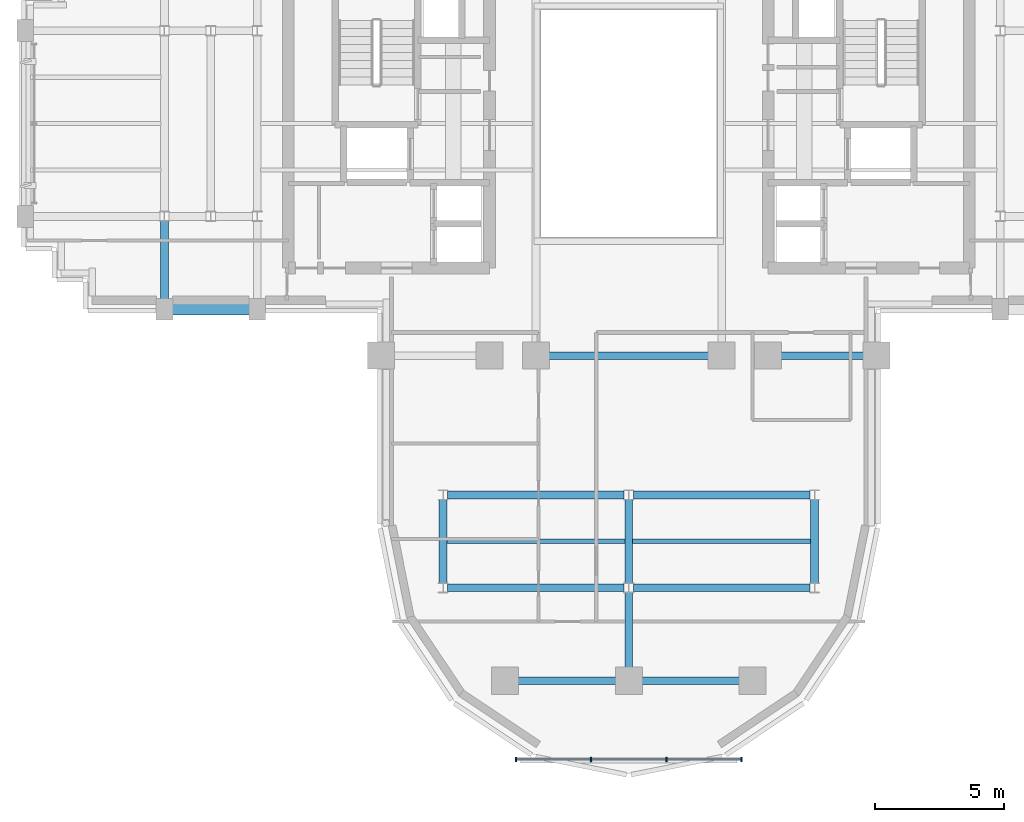
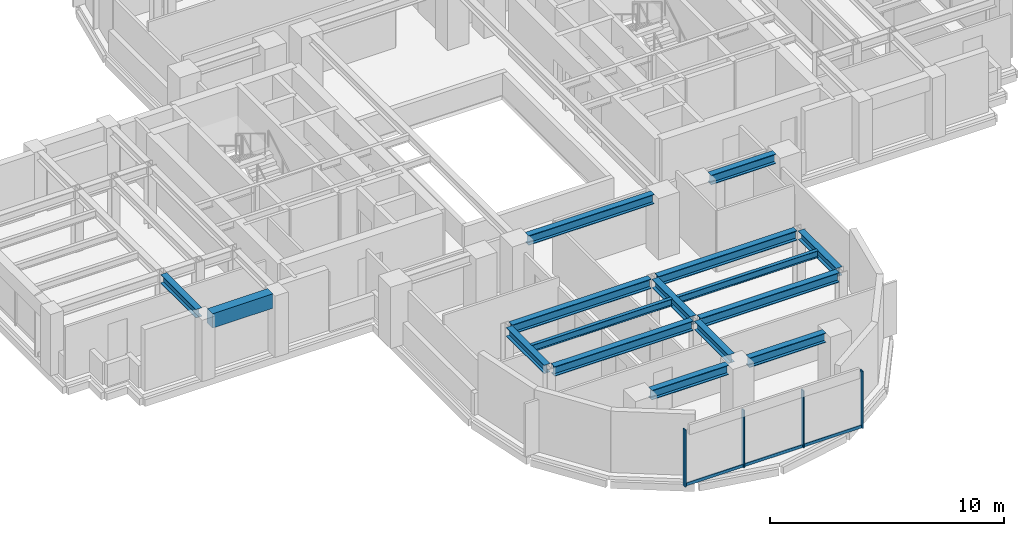
# One storey, part 3 of 14: 16 beams, 7 members, 1 element without a shape of its own.
"""IFC4 building model written with IfcOpenShell, lengths in metres."""

from ifc_helpers import new_model, si_unit, direction, frame, origin, origin_2d, place, context, subcontext, project, spatial, rectangle, i_section, extrude, source, transform, mapped, material, material_profile, profile_set, type_object, element, aggregate, save


model = new_model("IFC4")

# Units and contexts
model_context = context("Model", 3, precision=1e-05, world=origin(), true_north=direction((0.0, 1.0)))
body_context = subcontext(model_context, "Body", "Model", "MODEL_VIEW")
ifc_project = project(units=[si_unit("LENGTHUNIT", "METRE"), si_unit("AREAUNIT", "SQUARE_METRE"), si_unit("VOLUMEUNIT", "CUBIC_METRE"), si_unit("PLANEANGLEUNIT", "RADIAN"), si_unit("MASSUNIT", "GRAM", prefix="KILO")], contexts=[model_context])

# Site, building, storey
site_placement = place(None, origin())
site = spatial("IfcSite", under=ifc_project, at=site_placement, CompositionType="ELEMENT")
building_placement = place(site_placement, origin())
building = spatial("IfcBuilding", under=site, at=building_placement, Name="Keilestroom Media Tower", CompositionType="ELEMENT")
storey_placement = place(building_placement, frame((0.0, 0.0, 127.800048828125)))
storey = spatial("IfcBuildingStorey", under=building, at=storey_placement, Name="L34", CompositionType="ELEMENT", Elevation=127.800048828125)

# Beams
ifc_material_1 = material(Name="Steel S355", Category="steel")
ifc_material_profile_1 = material_profile(ifc_material_1, i_section(OverallWidth=0.169921875, OverallDepth=0.360107421875, WebThickness=0.008056640625, FlangeThickness=0.0126953125, at=origin_2d()), Name="IPE 360")
ifc_profile_set_1 = profile_set([ifc_material_profile_1], Name="Steel S355")
beam_type_1 = type_object("IfcBeamType", Name="Secondary-Floor-Joist-IPE-360", PredefinedType="JOIST", material=ifc_profile_set_1)
shared_shape_1 = source(origin(), body_context, "Body", "SweptSolid", [
    extrude(i_section(OverallWidth=0.169921875, OverallDepth=0.360107421875, WebThickness=0.008056640625, FlangeThickness=0.0126953125, at=origin_2d()), origin(), (0.0, 0.0, 1.0), 6.940185546875),
])
for number, where, z_axis, x_axis, name in (
    (1, (-7.070068359375, -16.199951171875, 3.02001953125), (1.0, 0.0, 0.0), (0.0, 1.0, 0.0), "L34 Beam BJ-5 JST-L34-069"),
    (2, (0.1298828125, -16.199951171875, 3.02001953125), (1.0, 0.0, 0.0), (0.0, 1.0, 0.0), "L34 Beam BJ-5 JST-L34-070"),
):
    element("IfcBeam", number, at=place(storey_placement, frame(where, z_axis=z_axis, x_axis=x_axis)), inside=storey, type_object=beam_type_1, Name=name, PredefinedType="JOIST", context=body_context, shape_type="MappedRepresentation", body=[
        mapped(shared_shape_1, transform((0.0, 0.0, 0.0), x_axis=(1.0, 0.0, 0.0), y_axis=(0.0, 1.0, 0.0), z_axis=(0.0, 0.0, 1.0), scale=1.0)),
    ])
ifc_material_profile_2 = material_profile(ifc_material_1, i_section(OverallWidth=0.300048828125, OverallDepth=0.5, WebThickness=0.012451171875, FlangeThickness=0.028076171875, at=origin_2d()), Name="HEB 500")
ifc_profile_set_2 = profile_set([ifc_material_profile_2], Name="Steel S355")
beam_type_2 = type_object("IfcBeamType", Name="Primary-Structural-Girder-HEB-500", PredefinedType="BEAM", material=ifc_profile_set_2)
shared_shape_2 = source(origin(), body_context, "Body", "SweptSolid", [
    extrude(i_section(OverallWidth=0.300048828125, OverallDepth=0.5, WebThickness=0.012451171875, FlangeThickness=0.028076171875, at=origin_2d()), origin(), (0.0, 0.0, 1.0), 3.7900390625),
])
for number, where, z_axis, x_axis, name in (
    (3, (-4.294921875, -21.60009765625, 2.949951171875), (1.0, 0.0, 0.0), (0.0, 1.0, 0.0), "L34 Beam BG-6 BM-L34-EW-001"),
    (4, (0.5048828125, -21.60009765625, 2.949951171875), (1.0, 0.0, 0.0), (0.0, 1.0, 0.0), "L34 Beam BG-6 BM-L34-EW-002"),
):
    element("IfcBeam", number, at=place(storey_placement, frame(where, z_axis=z_axis, x_axis=x_axis)), inside=storey, type_object=beam_type_2, Name=name, PredefinedType="BEAM", context=body_context, shape_type="MappedRepresentation", body=[
        mapped(shared_shape_2, transform((0.0, 0.0, 0.0), x_axis=(1.0, 0.0, 0.0), y_axis=(0.0, 1.0, 0.0), z_axis=(0.0, 0.0, 1.0), scale=1.0)),
    ])
shared_shape_3 = source(origin(), body_context, "Body", "SweptSolid", [
    extrude(i_section(OverallWidth=0.300048828125, OverallDepth=0.5, WebThickness=0.012451171875, FlangeThickness=0.028076171875, at=origin_2d()), origin(), (0.0, 0.0, 1.0), 6.839111328125),
])
for number, where, z_axis, x_axis, name in (
    (5, (-7.01953125, -18.0, 2.949951171875), (1.0, 0.0, 0.0), (0.0, 1.0, 0.0), "L34 Beam BG-6 BM-L34-EW-003"),
    (6, (0.180419921875, -18.0, 2.949951171875), (1.0, 0.0, 0.0), (0.0, 1.0, 0.0), "L34 Beam BG-6 BM-L34-EW-004"),
    (7, (-7.01953125, -14.39990234375, 2.949951171875), (1.0, 0.0, 0.0), (0.0, 1.0, 0.0), "L34 Beam BG-6 BM-L34-EW-005"),
    (8, (0.180419921875, -14.39990234375, 2.949951171875), (1.0, 0.0, 0.0), (0.0, 1.0, 0.0), "L34 Beam BG-6 BM-L34-EW-006"),
):
    element("IfcBeam", number, at=place(storey_placement, frame(where, z_axis=z_axis, x_axis=x_axis)), inside=storey, type_object=beam_type_2, Name=name, PredefinedType="BEAM", context=body_context, shape_type="MappedRepresentation", body=[
        mapped(shared_shape_3, transform((0.0, 0.0, 0.0), x_axis=(1.0, 0.0, 0.0), y_axis=(0.0, 1.0, 0.0), z_axis=(0.0, 0.0, 1.0), scale=1.0)),
    ])
shared_shape_4 = source(origin(), body_context, "Body", "SweptSolid", [
    extrude(i_section(OverallWidth=0.300048828125, OverallDepth=0.5, WebThickness=0.012451171875, FlangeThickness=0.028076171875, at=origin_2d()), origin(), (0.0, 0.0, 1.0), 3.18994140625),
])
beam_1_placement = place(storey_placement, frame((5.905029296875, -9.0, 2.949951171875), z_axis=(1.0, 0.0, 0.0), x_axis=(0.0, 1.0, 0.0)))
element("IfcBeam", 9, at=beam_1_placement, inside=storey, type_object=beam_type_2, Name="L34 Beam BG-6 BM-L34-EW-011", PredefinedType="BEAM", context=body_context, shape_type="MappedRepresentation", body=[
    mapped(shared_shape_4, transform((0.0, 0.0, 0.0), x_axis=(1.0, 0.0, 0.0), y_axis=(0.0, 1.0, 0.0), z_axis=(0.0, 0.0, 1.0), scale=1.0)),
])
shared_shape_5 = source(origin(), body_context, "Body", "SweptSolid", [
    extrude(i_section(OverallWidth=0.300048828125, OverallDepth=0.5, WebThickness=0.012451171875, FlangeThickness=0.028076171875, at=origin_2d()), origin(), (0.0, 0.0, 1.0), 6.18994140625),
])
beam_2_placement = place(storey_placement, frame((-3.094970703125, -9.0, 2.949951171875), z_axis=(1.0, 0.0, 0.0), x_axis=(0.0, 1.0, 0.0)))
element("IfcBeam", 10, at=beam_2_placement, inside=storey, type_object=beam_type_2, Name="L34 Beam BG-6 BM-L34-EW-009", PredefinedType="BEAM", context=body_context, shape_type="MappedRepresentation", body=[
    mapped(shared_shape_5, transform((0.0, 0.0, 0.0), x_axis=(1.0, 0.0, 0.0), y_axis=(0.0, 1.0, 0.0), z_axis=(0.0, 0.0, 1.0), scale=1.0)),
])
ifc_material_2 = material(Name="Precast concrete C40/50", Category="concrete")
ifc_material_profile_3 = material_profile(ifc_material_2, rectangle(XDim=0.449951171875, YDim=0.75, at=origin_2d()), Name="PC 450x750")
ifc_profile_set_3 = profile_set([ifc_material_profile_3], Name="Precast concrete C40/50")
beam_type_3 = type_object("IfcBeamType", Name="Perimeter-Spandrel-Beam-PC-450x750", PredefinedType="SPANDREL", material=ifc_profile_set_3)
shared_shape_6 = source(origin(), body_context, "Body", "SweptSolid", [
    extrude(rectangle(XDim=0.449951171875, YDim=0.75, at=origin_2d()), origin(), (0.0, 0.0, 1.0), 2.989990234375),
])
beam_3_placement = place(storey_placement, frame((-17.695068359375, -7.199951171875, 2.824951171875), z_axis=(1.0, 0.0, 0.0), x_axis=(0.0, 1.0, 0.0)))
element("IfcBeam", 11, at=beam_3_placement, inside=storey, type_object=beam_type_3, Name="L34 Beam SPB-1 BM-L34-EW-012", PredefinedType="SPANDREL", context=body_context, shape_type="MappedRepresentation", body=[
    mapped(shared_shape_6, transform((0.0, 0.0, 0.0), x_axis=(1.0, 0.0, 0.0), y_axis=(0.0, 1.0, 0.0), z_axis=(0.0, 0.0, 1.0), scale=1.0)),
])
ifc_material_profile_4 = material_profile(ifc_material_1, i_section(OverallWidth=0.300048828125, OverallDepth=0.449951171875, WebThickness=0.011962890625, FlangeThickness=0.02587890625, at=origin_2d()), Name="HEB 450")
ifc_profile_set_4 = profile_set([ifc_material_profile_4], Name="Steel S355")
beam_type_4 = type_object("IfcBeamType", Name="Primary-Structural-Girder-HEB-450", PredefinedType="BEAM", material=ifc_profile_set_4)
shared_shape_7 = source(origin(), body_context, "Body", "SweptSolid", [
    extrude(i_section(OverallWidth=0.300048828125, OverallDepth=0.449951171875, WebThickness=0.011962890625, FlangeThickness=0.02587890625, at=origin_2d()), origin(), (0.0, 0.0, 1.0), 3.015380859375),
])
beam_4_placement = place(storey_placement, frame((-18.0, -6.794921875, 2.974853515625), z_axis=(0.0, 1.0, 0.0), x_axis=(-1.0, 0.0, 0.0)))
element("IfcBeam", 12, at=beam_4_placement, inside=storey, type_object=beam_type_4, Name="L34 Beam BG-7 BM-L34-NS-040", PredefinedType="BEAM", context=body_context, shape_type="MappedRepresentation", body=[
    mapped(shared_shape_7, transform((0.0, 0.0, 0.0), x_axis=(1.0, 0.0, 0.0), y_axis=(0.0, 1.0, 0.0), z_axis=(0.0, 0.0, 1.0), scale=1.0)),
])
shared_shape_8 = source(origin(), body_context, "Body", "SweptSolid", [
    extrude(i_section(OverallWidth=0.300048828125, OverallDepth=0.449951171875, WebThickness=0.011962890625, FlangeThickness=0.02587890625, at=origin_2d()), origin(), (0.0, 0.0, 1.0), 3.240966796875),
])
for number, where, z_axis, x_axis, name in (
    (13, (-7.199951171875, -17.820556640625, 2.974853515625), (0.0, 1.0, 0.0), (-1.0, 0.0, 0.0), "L34 Beam BG-7 BM-L34-NS-048"),
    (14, (0.0, -17.820556640625, 2.974853515625), (0.0, 1.0, 0.0), (-1.0, 0.0, 0.0), "L34 Beam BG-7 BM-L34-NS-053"),
    (15, (7.199951171875, -17.820556640625, 2.974853515625), (0.0, 1.0, 0.0), (-1.0, 0.0, 0.0), "L34 Beam BG-7 BM-L34-NS-058"),
):
    element("IfcBeam", number, at=place(storey_placement, frame(where, z_axis=z_axis, x_axis=x_axis)), inside=storey, type_object=beam_type_4, Name=name, PredefinedType="BEAM", context=body_context, shape_type="MappedRepresentation", body=[
        mapped(shared_shape_8, transform((0.0, 0.0, 0.0), x_axis=(1.0, 0.0, 0.0), y_axis=(0.0, 1.0, 0.0), z_axis=(0.0, 0.0, 1.0), scale=1.0)),
    ])
shared_shape_9 = source(origin(), body_context, "Body", "SweptSolid", [
    extrude(i_section(OverallWidth=0.300048828125, OverallDepth=0.449951171875, WebThickness=0.011962890625, FlangeThickness=0.02587890625, at=origin_2d()), origin(), (0.0, 0.0, 1.0), 2.91552734375),
])
beam_5_placement = place(storey_placement, frame((0.0, -21.094970703125, 2.974853515625), z_axis=(0.0, 1.0, 0.0), x_axis=(-1.0, 0.0, 0.0)))
element("IfcBeam", 16, at=beam_5_placement, inside=storey, type_object=beam_type_4, Name="L34 Beam BG-7 BM-L34-NS-052", PredefinedType="BEAM", context=body_context, shape_type="MappedRepresentation", body=[
    mapped(shared_shape_9, transform((0.0, 0.0, 0.0), x_axis=(1.0, 0.0, 0.0), y_axis=(0.0, 1.0, 0.0), z_axis=(0.0, 0.0, 1.0), scale=1.0)),
])

# Curtain wall, members
ifc_material_3 = material(Name="Anodised Aluminium Alloy", Category="aluminium")
curtain_wall_type = type_object("IfcCurtainWallType", Name="Unitised-Curtain-Wall-CW-6", PredefinedType="NOTDEFINED", material=ifc_material_3)
curtain_wall_placement = place(storey_placement, origin())
curtain_wall = element("IfcCurtainWall", 17, at=curtain_wall_placement, inside=storey, type_object=curtain_wall_type, Name="L34 Curtain Wall CW-6 CW-L34-LS-1", PredefinedType="NOTDEFINED")
ifc_material_profile_5 = material_profile(ifc_material_3, rectangle(XDim=0.06494140625, YDim=0.179931640625, at=origin_2d()), Name="ALU MULLION 65x180")
ifc_profile_set_5 = profile_set([ifc_material_profile_5], Name="Anodised Aluminium Alloy")
member_type_1 = type_object("IfcMemberType", Name="Curtain-Wall-Mullion-CW-6", PredefinedType="MULLION", material=ifc_profile_set_5)
shared_shape_10 = source(origin(), body_context, "Body", "SweptSolid", [
    extrude(rectangle(XDim=0.06494140625, YDim=0.179931640625, at=origin_2d()), origin(), (0.0, 0.0, 1.0), 2.97998046875),
])
member_1_placement = place(storey_placement, frame((-4.367431640625, -24.64990234375, 0.0), z_axis=(0.0, 0.0, 1.0), x_axis=(1.0, 0.0, 0.0)))
member_1 = element("IfcMember", 18, at=member_1_placement, type_object=member_type_1, Name="CW-6 Mullion 00", PredefinedType="MULLION", context=body_context, shape_type="MappedRepresentation", body=[
    mapped(shared_shape_10, transform((0.0, 0.0, 0.0), x_axis=(1.0, 0.0, 0.0), y_axis=(0.0, 1.0, 0.0), z_axis=(0.0, 0.0, 1.0), scale=1.0)),
])
member_2_placement = place(storey_placement, frame((-1.466796875, -24.64990234375, 0.0), z_axis=(0.0, 0.0, 1.0), x_axis=(1.0, 0.0, 0.0)))
member_2 = element("IfcMember", 19, at=member_2_placement, type_object=member_type_1, Name="CW-6 Mullion 01", PredefinedType="MULLION", context=body_context, shape_type="MappedRepresentation", body=[
    mapped(shared_shape_10, transform((0.0, 0.0, 0.0), x_axis=(1.0, 0.0, 0.0), y_axis=(0.0, 1.0, 0.0), z_axis=(0.0, 0.0, 1.0), scale=1.0)),
])
member_3_placement = place(storey_placement, frame((1.466796875, -24.64990234375, 0.0), z_axis=(0.0, 0.0, 1.0), x_axis=(1.0, 0.0, 0.0)))
member_3 = element("IfcMember", 20, at=member_3_placement, type_object=member_type_1, Name="CW-6 Mullion 02", PredefinedType="MULLION", context=body_context, shape_type="MappedRepresentation", body=[
    mapped(shared_shape_10, transform((0.0, 0.0, 0.0), x_axis=(1.0, 0.0, 0.0), y_axis=(0.0, 1.0, 0.0), z_axis=(0.0, 0.0, 1.0), scale=1.0)),
])
member_4_placement = place(storey_placement, frame((4.367431640625, -24.64990234375, 0.0), z_axis=(0.0, 0.0, 1.0), x_axis=(1.0, 0.0, 0.0)))
member_4 = element("IfcMember", 21, at=member_4_placement, type_object=member_type_1, Name="CW-6 Mullion 03", PredefinedType="MULLION", context=body_context, shape_type="MappedRepresentation", body=[
    mapped(shared_shape_10, transform((0.0, 0.0, 0.0), x_axis=(1.0, 0.0, 0.0), y_axis=(0.0, 1.0, 0.0), z_axis=(0.0, 0.0, 1.0), scale=1.0)),
])
ifc_material_profile_6 = material_profile(ifc_material_3, rectangle(XDim=0.06494140625, YDim=0.14990234375, at=origin_2d()), Name="ALU TRANSOM 65x150")
ifc_profile_set_6 = profile_set([ifc_material_profile_6], Name="Anodised Aluminium Alloy")
member_type_2 = type_object("IfcMemberType", Name="Curtain-Wall-Transom-CW-6", PredefinedType="USERDEFINED", material=ifc_profile_set_6)
shared_shape_11 = source(origin(), body_context, "Body", "SweptSolid", [
    extrude(rectangle(XDim=0.06494140625, YDim=0.14990234375, at=origin_2d()), origin(), (0.0, 0.0, 1.0), 2.839599609375),
])
member_5_placement = place(storey_placement, frame((-4.3369140625, -24.64990234375, 0.074951171875), z_axis=(1.0, 0.0, 0.0), x_axis=(0.0, 1.0, 0.0)))
member_5 = element("IfcMember", 22, at=member_5_placement, type_object=member_type_2, Name="CW-6 Transom 00.1", ObjectType="TRANSOM", PredefinedType="USERDEFINED", context=body_context, shape_type="MappedRepresentation", body=[
    mapped(shared_shape_11, transform((0.0, 0.0, 0.0), x_axis=(1.0, 0.0, 0.0), y_axis=(0.0, 1.0, 0.0), z_axis=(0.0, 0.0, 1.0), scale=1.0)),
])
member_6_placement = place(storey_placement, frame((1.497314453125, -24.64990234375, 0.074951171875), z_axis=(1.0, 0.0, 0.0), x_axis=(0.0, 1.0, 0.0)))
member_6 = element("IfcMember", 23, at=member_6_placement, type_object=member_type_2, Name="CW-6 Transom 02.1", ObjectType="TRANSOM", PredefinedType="USERDEFINED", context=body_context, shape_type="MappedRepresentation", body=[
    mapped(shared_shape_11, transform((0.0, 0.0, 0.0), x_axis=(1.0, 0.0, 0.0), y_axis=(0.0, 1.0, 0.0), z_axis=(0.0, 0.0, 1.0), scale=1.0)),
])
shared_shape_12 = source(origin(), body_context, "Body", "SweptSolid", [
    extrude(rectangle(XDim=0.06494140625, YDim=0.14990234375, at=origin_2d()), origin(), (0.0, 0.0, 1.0), 2.87255859375),
])
member_7_placement = place(storey_placement, frame((-1.436279296875, -24.64990234375, 0.074951171875), z_axis=(1.0, 0.0, 0.0), x_axis=(0.0, 1.0, 0.0)))
member_7 = element("IfcMember", 24, at=member_7_placement, type_object=member_type_2, Name="CW-6 Transom 01.1", ObjectType="TRANSOM", PredefinedType="USERDEFINED", context=body_context, shape_type="MappedRepresentation", body=[
    mapped(shared_shape_12, transform((0.0, 0.0, 0.0), x_axis=(1.0, 0.0, 0.0), y_axis=(0.0, 1.0, 0.0), z_axis=(0.0, 0.0, 1.0), scale=1.0)),
])
aggregate(curtain_wall, [member_1, member_2, member_3, member_4, member_5, member_7, member_6])

save(model, "model.ifc")
